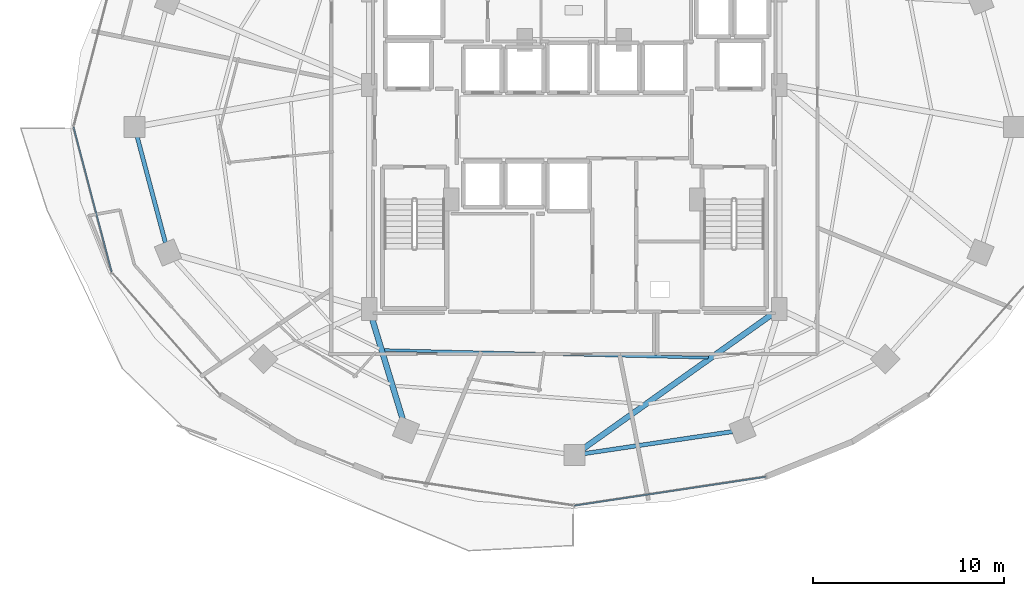
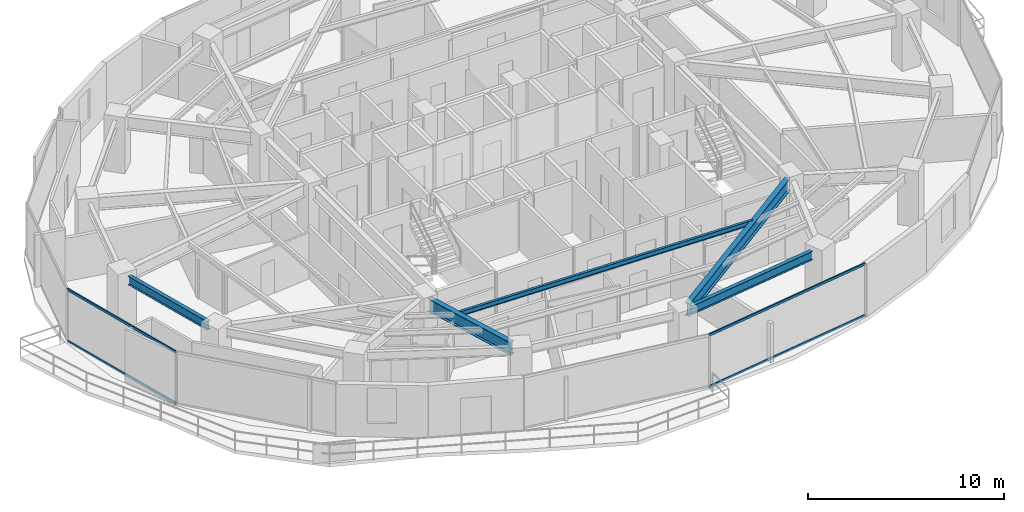
# One storey, part 6 of 30: 5 beams, 4 members, 2 elements without a shape of their own.
"""IFC4 building model written with IfcOpenShell, lengths in metres."""

from ifc_helpers import new_model, si_unit, direction, frame, origin, origin_2d, place, context, subcontext, project, spatial, hollow_rectangle, i_section, extrude, material, material_profile, profile_set, type_object, element, aggregate, save


model = new_model("IFC4")

# Units and contexts
model_context = context("Model", 3, precision=1e-05, world=origin(), true_north=direction((0.0, 1.0)))
body_context = subcontext(model_context, "Body", "Model", "MODEL_VIEW")
ifc_project = project(units=[si_unit("LENGTHUNIT", "METRE"), si_unit("AREAUNIT", "SQUARE_METRE"), si_unit("VOLUMEUNIT", "CUBIC_METRE"), si_unit("PLANEANGLEUNIT", "RADIAN"), si_unit("MASSUNIT", "GRAM", prefix="KILO")], contexts=[model_context])

# Site, building, storey
site_placement = place(None, origin())
site = spatial("IfcSite", under=ifc_project, at=site_placement, CompositionType="ELEMENT")
building_placement = place(site_placement, origin())
building = spatial("IfcBuilding", under=site, at=building_placement, Name="Vorneva Point Tower", CompositionType="ELEMENT")
storey_placement = place(building_placement, frame((0.0, 0.0, 78.800048828125)))
storey = spatial("IfcBuildingStorey", under=building, at=storey_placement, Name="L20", CompositionType="ELEMENT", Elevation=78.800048828125)

# Beams
ifc_material_1 = material(Name="Steel S355", Category="steel")
ifc_material_profile_1 = material_profile(ifc_material_1, i_section(OverallWidth=0.300048828125, OverallDepth=0.7880859375, WebThickness=0.014404296875, FlangeThickness=0.02197265625, at=origin_2d()), Name="80Sh1")
ifc_profile_set_1 = profile_set([ifc_material_profile_1], Name="Steel S355")
beam_type_1 = type_object("IfcBeamType", Name="BM-GRD-80Sh1", PredefinedType="USERDEFINED", material=ifc_profile_set_1)
beam_1_placement = place(storey_placement, frame((29.0224609375, 10.6240234375, 2.845947265625), z_axis=(-0.291034888253, 0.956712440506, 0.0), x_axis=(-0.956712440506, -0.291034888253, 0.0)))
element("IfcBeam", 1, at=beam_1_placement, inside=storey, type_object=beam_type_1, Name="L20 Radial Primary Girder 12", ObjectType="GIRDER", PredefinedType="USERDEFINED", context=body_context, shape_type="SweptSolid", body=[
    extrude(i_section(OverallWidth=0.300048828125, OverallDepth=0.7880859375, WebThickness=0.014404296875, FlangeThickness=0.02197265625, at=origin_2d()), origin(), (0.0, 0.0, 1.0), 5.74951171875),
])
beam_2_placement = place(storey_placement, frame((38.438232421875, 9.11181640625, 2.845947265625), z_axis=(0.814750142675, 0.5798122153, 0.0), x_axis=(-0.5798122153, 0.814750142675, 0.0)))
element("IfcBeam", 2, at=beam_2_placement, inside=storey, type_object=beam_type_1, Name="L20 Radial Primary Girder 13", ObjectType="GIRDER", PredefinedType="USERDEFINED", context=body_context, shape_type="SweptSolid", body=[
    extrude(i_section(OverallWidth=0.300048828125, OverallDepth=0.7880859375, WebThickness=0.014404296875, FlangeThickness=0.02197265625, at=origin_2d()), origin(), (0.0, 0.0, 1.0), 12.316162109375),
])
ifc_material_profile_2 = material_profile(ifc_material_1, i_section(OverallWidth=0.14892578125, OverallDepth=0.298095703125, WebThickness=0.005615234375, FlangeThickness=0.008056640625, at=origin_2d()), Name="30B1")
ifc_profile_set_2 = profile_set([ifc_material_profile_2], Name="Steel S355")
beam_type_2 = type_object("IfcBeamType", Name="BM-JST-30B1", PredefinedType="JOIST", material=ifc_profile_set_2)
beam_3_placement = place(storey_placement, frame((28.039306640625, 14.30615234375, 3.091064453125), z_axis=(0.999713718742, -0.023926565974, 0.0), x_axis=(0.023926565974, 0.999713718742, 0.0)))
element("IfcBeam", 3, at=beam_3_placement, inside=storey, type_object=beam_type_2, Name="L20 Secondary Floor Beam 2.12", PredefinedType="JOIST", context=body_context, shape_type="SweptSolid", body=[
    extrude(i_section(OverallWidth=0.14892578125, OverallDepth=0.298095703125, WebThickness=0.005615234375, FlangeThickness=0.008056640625, at=origin_2d()), origin(), (0.0, 0.0, 1.0), 16.9892578125),
])
ifc_material_profile_3 = material_profile(ifc_material_1, i_section(OverallWidth=0.219970703125, OverallDepth=0.54296875, WebThickness=0.009521484375, FlangeThickness=0.013427734375, at=origin_2d()), Name="55B1")
ifc_profile_set_3 = profile_set([ifc_material_profile_3], Name="Steel S355")
beam_type_3 = type_object("IfcBeamType", Name="BM-SPN-55B1", PredefinedType="SPANDREL", material=ifc_profile_set_3)
beam_4_placement = place(storey_placement, frame((15.087890625, 25.483154296875, 2.968505859375), z_axis=(0.257572674071, -0.966258928845, 0.0), x_axis=(0.966258928845, 0.257572674071, 0.0)))
element("IfcBeam", 4, at=beam_4_placement, inside=storey, type_object=beam_type_3, Name="L20 Perimeter Spandrel Ring Beam 09", PredefinedType="SPANDREL", context=body_context, shape_type="SweptSolid", body=[
    extrude(i_section(OverallWidth=0.219970703125, OverallDepth=0.54296875, WebThickness=0.009521484375, FlangeThickness=0.013427734375, at=origin_2d()), origin(), (0.0, 0.0, 1.0), 5.7421875),
])
beam_5_placement = place(storey_placement, frame((38.529296875, 8.878662109375, 2.968505859375), z_axis=(0.989164507783, 0.146811363806, 0.0), x_axis=(-0.146811363806, 0.989164507783, 0.0)))
element("IfcBeam", 5, at=beam_5_placement, inside=storey, type_object=beam_type_3, Name="L20 Perimeter Spandrel Ring Beam 13", PredefinedType="SPANDREL", context=body_context, shape_type="SweptSolid", body=[
    extrude(i_section(OverallWidth=0.219970703125, OverallDepth=0.54296875, WebThickness=0.009521484375, FlangeThickness=0.013427734375, at=origin_2d()), origin(), (0.0, 0.0, 1.0), 7.847412109375),
])

# Curtain wall, members
ifc_material_2 = material(Name="Pale anodised aluminium", Category="aluminium")
curtain_wall_type = type_object("IfcCurtainWallType", Name="CW-HTL-SYS", PredefinedType="NOTDEFINED", material=ifc_material_2)
curtain_wall_1_placement = place(storey_placement, origin())
curtain_wall_1 = element("IfcCurtainWall", 6, at=curtain_wall_1_placement, inside=storey, type_object=curtain_wall_type, Name="L20 Unitised Curtain Wall CW-L20-R02", PredefinedType="NOTDEFINED")
ifc_material_profile_4 = material_profile(ifc_material_2, hollow_rectangle(XDim=0.074951171875, YDim=0.14990234375, WallThickness=0.00390625, at=origin_2d()), Name="AL-TRN 150x75x4")
ifc_profile_set_4 = profile_set([ifc_material_profile_4], Name="Pale anodised aluminium")
member_type = type_object("IfcMemberType", Name="CW-TRN-150", PredefinedType="USERDEFINED", material=ifc_profile_set_4)
member_1_placement = place(storey_placement, frame((11.75, 26.0, 0.02001953125), z_axis=(0.254409150465, -0.967096677773, 0.0), x_axis=(0.967096677773, 0.254409150465, 0.0)))
member_1 = element("IfcMember", 7, at=member_1_placement, type_object=member_type, Name="CW-L20-R02 Transom 03.1", ObjectType="TRANSOM", PredefinedType="USERDEFINED", context=body_context, shape_type="SweptSolid", body=[
    extrude(hollow_rectangle(XDim=0.074951171875, YDim=0.14990234375, WallThickness=0.00390625, at=origin_2d()), origin(), (0.0, 0.0, 1.0), 7.854736328125),
])
member_2_placement = place(storey_placement, frame((11.75, 26.0, 3.219970703125), z_axis=(0.254409150465, -0.967096677773, 0.0), x_axis=(0.967096677773, 0.254409150465, 0.0)))
member_2 = element("IfcMember", 8, at=member_2_placement, type_object=member_type, Name="CW-L20-R02 Transom 03.2", ObjectType="TRANSOM", PredefinedType="USERDEFINED", context=body_context, shape_type="SweptSolid", body=[
    extrude(hollow_rectangle(XDim=0.074951171875, YDim=0.14990234375, WallThickness=0.00390625, at=origin_2d()), origin(), (0.0, 0.0, 1.0), 7.854736328125),
])
aggregate(curtain_wall_1, [member_1, member_2])

curtain_wall_2_placement = place(storey_placement, origin())
curtain_wall_2 = element("IfcCurtainWall", 9, at=curtain_wall_2_placement, inside=storey, type_object=curtain_wall_type, Name="L20 Unitised Curtain Wall CW-L20-R03", PredefinedType="NOTDEFINED")
member_3_placement = place(storey_placement, frame((38.0, 6.14990234375, 0.02001953125), z_axis=(0.988875982167, 0.148742367512, 0.0), x_axis=(-0.148742367512, 0.988875982167, 0.0)))
member_3 = element("IfcMember", 10, at=member_3_placement, type_object=member_type, Name="CW-L20-R03 Transom 02.1", ObjectType="TRANSOM", PredefinedType="USERDEFINED", context=body_context, shape_type="SweptSolid", body=[
    extrude(hollow_rectangle(XDim=0.074951171875, YDim=0.14990234375, WallThickness=0.00390625, at=origin_2d()), origin(), (0.0, 0.0, 1.0), 10.158447265625),
])
member_4_placement = place(storey_placement, frame((38.0, 6.14990234375, 3.219970703125), z_axis=(0.988875982167, 0.148742367512, 0.0), x_axis=(-0.148742367512, 0.988875982167, 0.0)))
member_4 = element("IfcMember", 11, at=member_4_placement, type_object=member_type, Name="CW-L20-R03 Transom 02.2", ObjectType="TRANSOM", PredefinedType="USERDEFINED", context=body_context, shape_type="SweptSolid", body=[
    extrude(hollow_rectangle(XDim=0.074951171875, YDim=0.14990234375, WallThickness=0.00390625, at=origin_2d()), origin(), (0.0, 0.0, 1.0), 10.158447265625),
])
aggregate(curtain_wall_2, [member_3, member_4])

save(model, "model.ifc")
